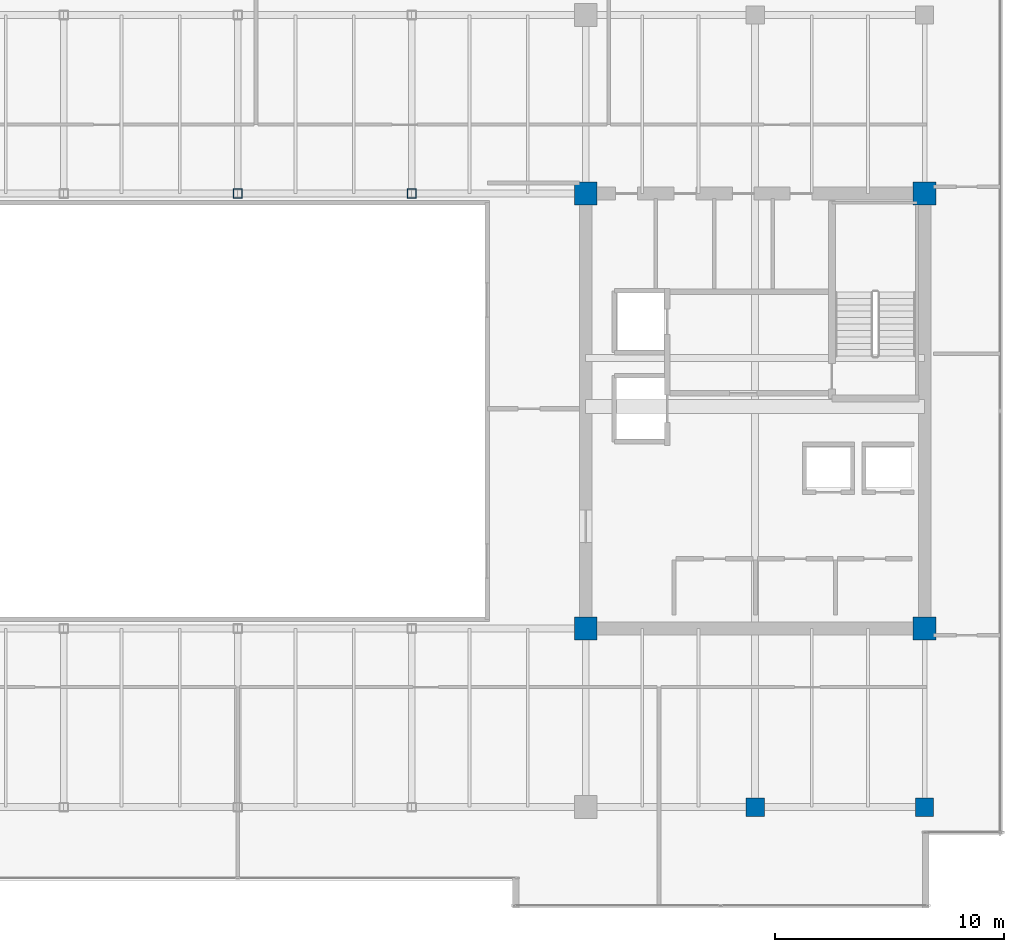
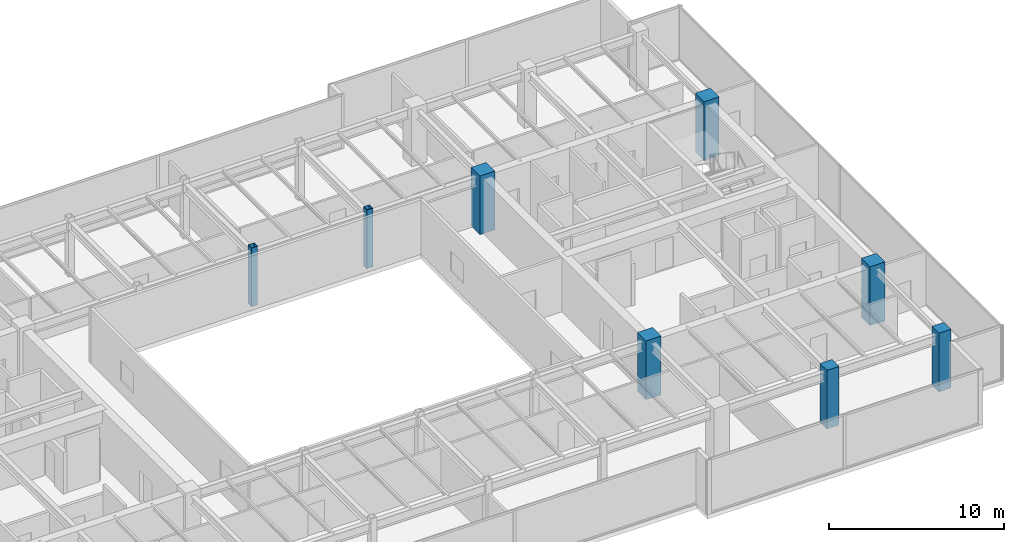
# One storey, part 2 of 33: 8 columns.
"""IFC4 building model written with IfcOpenShell, lengths in metres."""

from ifc_helpers import new_model, si_unit, direction, frame, origin, origin_2d, place, context, subcontext, project, spatial, rectangle, hollow_rectangle, extrude, source, transform, mapped, material, material_profile, profile_set, type_object, type_shapes, element, save


model = new_model("IFC4")

# Units and contexts
model_context = context("Model", 3, precision=1e-05, world=origin(), true_north=direction((0.0, 1.0)))
body_context = subcontext(model_context, "Body", "Model", "MODEL_VIEW")
ifc_project = project(units=[si_unit("LENGTHUNIT", "METRE"), si_unit("AREAUNIT", "SQUARE_METRE"), si_unit("VOLUMEUNIT", "CUBIC_METRE"), si_unit("PLANEANGLEUNIT", "RADIAN"), si_unit("MASSUNIT", "GRAM", prefix="KILO")], contexts=[model_context])

# Site, building, storey
site_placement = place(None, origin())
site = spatial("IfcSite", under=ifc_project, at=site_placement, CompositionType="ELEMENT")
building_placement = place(site_placement, origin())
building = spatial("IfcBuilding", under=site, at=building_placement, Name="Haelvirn Gate Laboratories", CompositionType="ELEMENT")
storey_placement = place(building_placement, frame((0.0, 0.0, 258.800048828125)))
storey = spatial("IfcBuildingStorey", under=building, at=storey_placement, Name="L62", CompositionType="ELEMENT", Elevation=258.800048828125)

# Columns
ifc_material_1 = material(Name="Concrete C60/75", Category="concrete")
ifc_material_profile_1 = material_profile(ifc_material_1, rectangle(XDim=1.0, YDim=1.0, at=origin_2d()), Name="RC-1000x1000")
ifc_profile_set_1 = profile_set([ifc_material_profile_1], Name="Concrete C60/75")
column_type_1 = type_object("IfcColumnType", Name="COL-RC-1000", PredefinedType="COLUMN", material=ifc_profile_set_1)
shared_shape_1 = source(origin(), body_context, "Body", "SweptSolid", [
    extrude(rectangle(XDim=1.0, YDim=1.0, at=origin_2d()), origin(), (0.0, 0.0, 1.0), 4.099853515625),
])
type_shapes(column_type_1, [shared_shape_1])
for number, where, z_axis, x_axis, name in (
    (1, (52.60009765625, 14.800048828125, 0.0), (0.0, 0.0, 1.0), (1.0, 0.0, 0.0), "L62 Column 8C"),
    (2, (67.39990234375, 14.800048828125, 0.0), (0.0, 0.0, 1.0), (1.0, 0.0, 0.0), "L62 Column 10C"),
    (3, (52.60009765625, 33.800048828125, 0.0), (0.0, 0.0, 1.0), (1.0, 0.0, 0.0), "L62 Column 8F"),
    (4, (67.39990234375, 33.800048828125, 0.0), (0.0, 0.0, 1.0), (1.0, 0.0, 0.0), "L62 Column 10F"),
):
    element("IfcColumn", number, at=place(storey_placement, frame(where, z_axis=z_axis, x_axis=x_axis)), inside=storey, type_object=column_type_1, Name=name, PredefinedType="COLUMN", context=body_context, shape_type="MappedRepresentation", body=[
        mapped(shared_shape_1, transform((0.0, 0.0, 0.0), scale=1.0)),
    ])
ifc_material_2 = material(Name="Concrete C50/60", Category="concrete")
ifc_material_profile_2 = material_profile(ifc_material_2, rectangle(XDim=0.800048828125, YDim=0.800048828125, at=origin_2d()), Name="RC-800x800")
ifc_profile_set_2 = profile_set([ifc_material_profile_2], Name="Concrete C50/60")
column_type_2 = type_object("IfcColumnType", Name="COL-RC-800", PredefinedType="COLUMN", material=ifc_profile_set_2)
shared_shape_2 = source(origin(), body_context, "Body", "SweptSolid", [
    extrude(rectangle(XDim=0.800048828125, YDim=0.800048828125, at=origin_2d()), origin(), (0.0, 0.0, 1.0), 4.099853515625),
])
type_shapes(column_type_2, [shared_shape_2])
for number, where, z_axis, x_axis, name in (
    (5, (60.0, 7.0, 0.0), (0.0, 0.0, 1.0), (1.0, 0.0, 0.0), "L62 Column 9B"),
    (6, (67.39990234375, 7.0, 0.0), (0.0, 0.0, 1.0), (1.0, 0.0, 0.0), "L62 Column 10B"),
):
    element("IfcColumn", number, at=place(storey_placement, frame(where, z_axis=z_axis, x_axis=x_axis)), inside=storey, type_object=column_type_2, Name=name, PredefinedType="COLUMN", context=body_context, shape_type="MappedRepresentation", body=[
        mapped(shared_shape_2, transform((0.0, 0.0, 0.0), scale=1.0)),
    ])
ifc_material_3 = material(Name="Steel SM355", Category="steel")
ifc_material_profile_3 = material_profile(ifc_material_3, hollow_rectangle(XDim=0.39990234375, YDim=0.39990234375, WallThickness=0.01904296875, at=origin_2d()), Name="BOX-400x400x19")
ifc_profile_set_3 = profile_set([ifc_material_profile_3], Name="Steel SM355")
column_type_3 = type_object("IfcColumnType", Name="COL-BOX-400", PredefinedType="COLUMN", material=ifc_profile_set_3)
shared_shape_3 = source(origin(), body_context, "Body", "SweptSolid", [
    extrude(hollow_rectangle(XDim=0.39990234375, YDim=0.39990234375, WallThickness=0.01904296875, at=origin_2d()), origin(), (0.0, 0.0, 1.0), 4.099853515625),
])
type_shapes(column_type_3, [shared_shape_3])
for number, where, z_axis, x_axis, name in (
    (7, (37.39990234375, 33.800048828125, 0.0), (0.0, 0.0, 1.0), (1.0, 0.0, 0.0), "L62 Column 6F"),
    (8, (45.0, 33.800048828125, 0.0), (0.0, 0.0, 1.0), (1.0, 0.0, 0.0), "L62 Column 7F"),
):
    element("IfcColumn", number, at=place(storey_placement, frame(where, z_axis=z_axis, x_axis=x_axis)), inside=storey, type_object=column_type_3, Name=name, PredefinedType="COLUMN", context=body_context, shape_type="MappedRepresentation", body=[
        mapped(shared_shape_3, transform((0.0, 0.0, 0.0), scale=1.0)),
    ])

save(model, "model.ifc")
